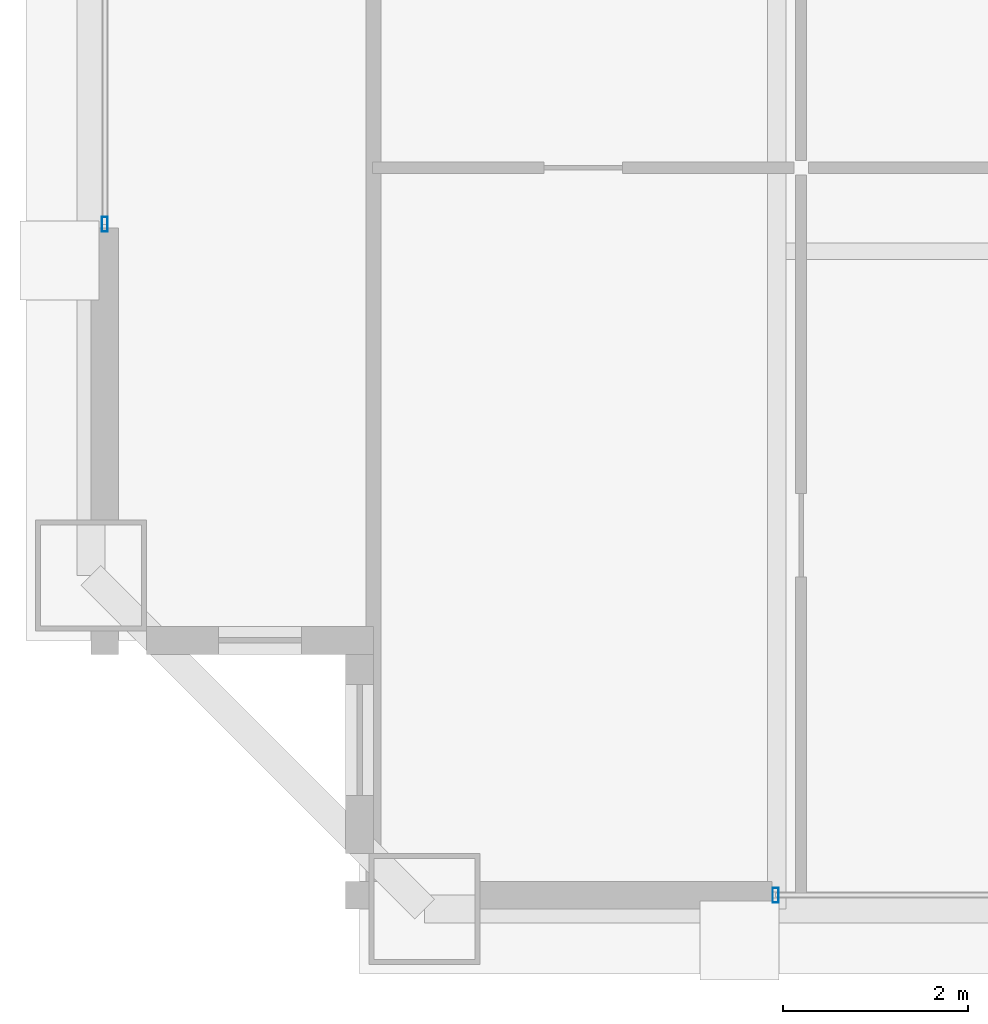
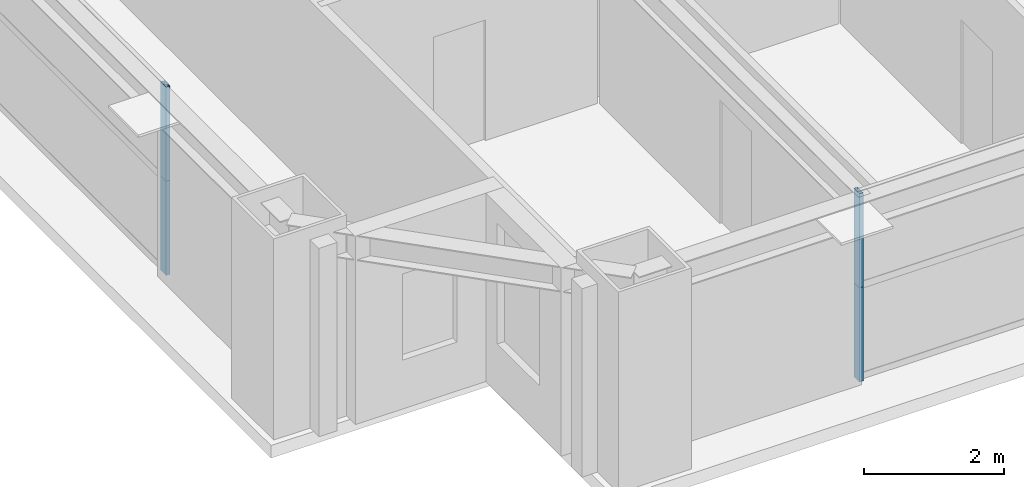
# One storey, part 3 of 36: 4 members, 2 elements without a shape of their own.
"""IFC4 building model written with IfcOpenShell, lengths in metres."""

import ifcopenshell
import ifcopenshell.guid

model = None  # the IFC model being written
_history = None  # IfcOwnerHistory: only IFC2X3 demands one
_inside = {}  # id of a spatial element -> (the spatial element, [elements in it])
_under = {}  # id of a project, library or spatial element -> (it, [spatial elements below it])
_declared = {}  # id of a project -> (the project, [libraries it declares])
_typed = {}  # id of a type object -> (the type object, [elements of that type])
_made_of = {}  # id of a material, layer set ... -> (it, [elements and type objects made of it])


def new_model(schema):
    """Start an empty IFC model of exactly this schema.

    Asked for "IFC4X3", IfcOpenShell would pick the latest addendum, in which some entities
    have other attributes; the version numbers below select the first issue.
    IFC2X3 requires an IfcOwnerHistory on every rooted entity: one is made here for all.
    """
    global model, _history
    if schema == "IFC4X3":
        model = ifcopenshell.file(schema_version=(4, 3, 0, 0))
    else:
        model = ifcopenshell.file(schema=schema)
    _inside.clear()
    _under.clear()
    _declared.clear()
    _typed.clear()
    _made_of.clear()
    _history = None
    if model.schema == "IFC2X3":
        org = make("IfcOrganization", Name="unknown")
        user = make(
            "IfcPersonAndOrganization",
            ThePerson=make("IfcPerson", FamilyName="unknown"),
            TheOrganization=org,
        )
        app = make(
            "IfcApplication",
            ApplicationDeveloper=org,
            Version="unknown",
            ApplicationFullName="unknown",
            ApplicationIdentifier="unknown",
        )
        _history = make(
            "IfcOwnerHistory",
            OwningUser=user,
            OwningApplication=app,
            ChangeAction="ADDED",
            CreationDate=0,
        )
    return model


def make(cls, **values):
    """One entity of the class cls with the attributes given. An attribute that is None is left unset."""
    return model.create_entity(
        cls, **{name: value for name, value in values.items() if value is not None}
    )


def rooted(cls, **values):
    """An entity with a GlobalId (a new one), such as an element, a storey or a relation."""
    return make(cls, GlobalId=ifcopenshell.guid.new(), OwnerHistory=_history, **values)


def si_unit(unit_type, name, prefix=None):
    """IfcSIUnit, for example si_unit("LENGTHUNIT", "METRE", prefix="MILLI")."""
    return make("IfcSIUnit", UnitType=unit_type, Prefix=prefix, Name=name)


def assignment(units):
    """IfcUnitAssignment: the units of a project."""
    return None if units is None else make("IfcUnitAssignment", Units=units)


def point(xyz):
    """IfcCartesianPoint."""
    return None if xyz is None else make("IfcCartesianPoint", Coordinates=xyz)


def direction(xyz):
    """IfcDirection."""
    return None if xyz is None else make("IfcDirection", DirectionRatios=xyz)


def frame(location, z_axis=None, x_axis=None):
    """IfcAxis2Placement3D, a coordinate frame: its origin and axes. An axis left out is left unset."""
    return make(
        "IfcAxis2Placement3D",
        Location=point(location),
        Axis=direction(z_axis),
        RefDirection=direction(x_axis),
    )


def frame_2d(location, x_axis=None):
    """IfcAxis2Placement2D, a coordinate frame in the plane: its origin and x axis."""
    return make(
        "IfcAxis2Placement2D", Location=point(location), RefDirection=direction(x_axis)
    )


def origin():
    """The frame at (0, 0, 0) with its axes left unset."""
    return frame((0.0, 0.0, 0.0))


def origin_2d():
    """The frame at (0, 0) in the plane with its x axis left unset."""
    return frame_2d((0.0, 0.0))


def place(relative_to, where):
    """IfcLocalPlacement: puts the frame where relative to a parent placement (None: the world)."""
    return make(
        "IfcLocalPlacement", PlacementRelTo=relative_to, RelativePlacement=where
    )


def context(
    kind, dimensions, precision=None, world=None, true_north=None, identifier=None
):
    """IfcGeometricRepresentationContext, for example the 3D "Model" context."""
    return make(
        "IfcGeometricRepresentationContext",
        ContextIdentifier=identifier,
        ContextType=kind,
        CoordinateSpaceDimension=dimensions,
        Precision=precision,
        WorldCoordinateSystem=world,
        TrueNorth=true_north,
    )


def subcontext(parent, identifier, kind, view, scale=None):
    """IfcGeometricRepresentationSubContext, for example "Body" below "Model"."""
    return make(
        "IfcGeometricRepresentationSubContext",
        ContextIdentifier=identifier,
        ContextType=kind,
        ParentContext=parent,
        TargetScale=scale,
        TargetView=view,
    )


def project(units=None, contexts=None):
    """IfcProject with its units and contexts."""
    return rooted(
        "IfcProject",
        Name="project",
        RepresentationContexts=contexts,
        UnitsInContext=assignment(units),
    )


def spatial(cls, under=None, at=None, **own):
    """A site, building, storey or space (cls), placed at a placement, below another one or the project."""
    s = rooted(cls, ObjectPlacement=at, **own)
    if under is not None:
        _under.setdefault(under.id(), (under, []))[1].append(s)
    return s


def profile(cls, at=None, kind="AREA", **sizes):
    """A parametric profile (cls). Its sizes go by their IFC names, for example OverallWidth=200.0."""
    return make(cls, ProfileType=kind, Position=at, **sizes)


def hollow_rectangle(**sizes):
    """IfcRectangleHollowProfileDef."""
    return profile("IfcRectangleHollowProfileDef", **sizes)


def extrude(swept, where, along, depth):
    """IfcExtrudedAreaSolid: the profile swept, set in the frame where, extruded along a direction by depth."""
    return make(
        "IfcExtrudedAreaSolid",
        SweptArea=swept,
        Position=where,
        ExtrudedDirection=direction(along),
        Depth=depth,
    )


def shape(context_of_items, identifier, shape_type, items):
    """IfcShapeRepresentation: the items that make up one representation, for example the "Body"."""
    return make(
        "IfcShapeRepresentation",
        ContextOfItems=context_of_items,
        RepresentationIdentifier=identifier,
        RepresentationType=shape_type,
        Items=items,
    )


def source(mapping_origin, context_of_items, identifier, shape_type, items):
    """IfcRepresentationMap: a shape defined once, which mapped items show again and again."""
    return make(
        "IfcRepresentationMap",
        MappingOrigin=mapping_origin,
        MappedRepresentation=shape(context_of_items, identifier, shape_type, items),
    )


def transform(
    local_origin,
    x_axis=None,
    y_axis=None,
    z_axis=None,
    scale=None,
    scale2=None,
    scale3=None,
    uniform=True,
):
    """IfcCartesianTransformationOperator3D, or its non-uniform kind. x_axis, y_axis, z_axis: its Axis1, 2, 3."""
    if uniform:
        return make(
            "IfcCartesianTransformationOperator3D",
            Axis1=direction(x_axis),
            Axis2=direction(y_axis),
            LocalOrigin=point(local_origin),
            Scale=scale,
            Axis3=direction(z_axis),
        )
    return make(
        "IfcCartesianTransformationOperator3DnonUniform",
        Axis1=direction(x_axis),
        Axis2=direction(y_axis),
        LocalOrigin=point(local_origin),
        Scale=scale,
        Axis3=direction(z_axis),
        Scale2=scale2,
        Scale3=scale3,
    )


def mapped(mapping_source, mapping_target):
    """IfcMappedItem: shows the shape of a source again, moved by a transform."""
    return make(
        "IfcMappedItem", MappingSource=mapping_source, MappingTarget=mapping_target
    )


def material(Name=None, Category=None):
    """IfcMaterial."""
    return make("IfcMaterial", Name=Name, Category=Category)


def layer(
    of_material, thickness, ventilated=None, Name=None, Category=None, Priority=None
):
    """IfcMaterialLayer: one layer of a wall or slab, of a material (None: an air gap)."""
    return make(
        "IfcMaterialLayer",
        Material=of_material,
        LayerThickness=thickness,
        IsVentilated=ventilated,
        Name=Name,
        Category=Category,
        Priority=Priority,
    )


def layer_set(layers, Name=None):
    """IfcMaterialLayerSet."""
    return make("IfcMaterialLayerSet", MaterialLayers=layers, LayerSetName=Name)


def material_profile(
    of_material, cross_section, Name=None, Category=None, Priority=None
):
    """IfcMaterialProfile: a cross section and its material."""
    return make(
        "IfcMaterialProfile",
        Name=Name,
        Material=of_material,
        Profile=cross_section,
        Priority=Priority,
        Category=Category,
    )


def profile_set(profiles, Name=None, composite=None):
    """IfcMaterialProfileSet."""
    return make(
        "IfcMaterialProfileSet",
        Name=Name,
        MaterialProfiles=profiles,
        CompositeProfile=composite,
    )


def made_of(thing, what):
    """Note that an element or type object is made of a material, layer set ...; save() writes the relation."""
    if what is not None:
        _made_of.setdefault(what.id(), (what, []))[1].append(thing)
    return thing


def type_object(cls, material=None, **own):
    """A type object (cls), such as IfcWallType, which elements share."""
    return made_of(rooted(cls, **own), material)


def element(
    cls,
    number,
    at=None,
    inside=None,
    cuts=None,
    type_object=None,
    material=None,
    context=None,
    identifier="Body",
    shape_type=None,
    held_by="IfcProductDefinitionShape",
    body=None,
    shapes=None,
    **own,
):
    """One element of the class cls, such as IfcWall. Its Tag is "e" and its number.

    at: its placement. inside: the storey or other place that contains it. cuts: it is an
    opening in that element (IfcRelVoidsElement). A single representation is given by context,
    identifier, shape_type and body (its items); several are given by shapes. held_by: the class
    of the entity that holds the representations. save() writes the other relations.
    """
    e = rooted(cls, Tag="e%d" % number, ObjectPlacement=at, **own)
    if body is not None:
        shapes = [shape(context, identifier, shape_type, body)]
    if shapes is not None:
        e.Representation = make(held_by, Representations=shapes)
    if inside is not None:
        _inside.setdefault(inside.id(), (inside, []))[1].append(e)
    if cuts is not None:
        rooted(
            "IfcRelVoidsElement", RelatingBuildingElement=cuts, RelatedOpeningElement=e
        )
    if type_object is not None:
        _typed.setdefault(type_object.id(), (type_object, []))[1].append(e)
    return made_of(e, material)


def aggregate(whole, parts):
    """IfcRelAggregates: a whole, such as a stair, and the parts it consists of."""
    return rooted("IfcRelAggregates", RelatingObject=whole, RelatedObjects=parts)


def save(model, path):
    """Write the relations noted so far, then the file.

    IfcRelAggregates (storeys below a building ...), IfcRelContainedInSpatialStructure (elements
    in a storey), IfcRelDefinesByType, IfcRelAssociatesMaterial and IfcRelDeclares: one each for
    every whole, place, type object, material and project.
    """
    for whole, parts in _under.values():
        aggregate(whole, parts)
    for where, things in _inside.values():
        rooted(
            "IfcRelContainedInSpatialStructure",
            RelatedElements=things,
            RelatingStructure=where,
        )
    for kind, things in _typed.values():
        rooted("IfcRelDefinesByType", RelatedObjects=things, RelatingType=kind)
    for what, things in _made_of.values():
        rooted("IfcRelAssociatesMaterial", RelatedObjects=things, RelatingMaterial=what)
    for by, libraries in _declared.values():
        rooted("IfcRelDeclares", RelatingContext=by, RelatedDefinitions=libraries)
    model.write(path)


model = new_model("IFC4")

# Units and contexts
model_context = context("Model", 3, precision=1e-05, world=origin(), true_north=direction((0.0, 1.0)))
body_context = subcontext(model_context, "Body", "Model", "MODEL_VIEW")
ifc_project = project(units=[si_unit("LENGTHUNIT", "METRE"), si_unit("AREAUNIT", "SQUARE_METRE"), si_unit("VOLUMEUNIT", "CUBIC_METRE"), si_unit("PLANEANGLEUNIT", "RADIAN"), si_unit("MASSUNIT", "GRAM", prefix="KILO"), si_unit("THERMODYNAMICTEMPERATUREUNIT", "KELVIN"), si_unit("POWERUNIT", "WATT")], contexts=[model_context])

# Site, building, storey
site_placement = place(None, origin())
site = spatial("IfcSite", under=ifc_project, at=site_placement, CompositionType="ELEMENT")
building_placement = place(site_placement, origin())
building = spatial("IfcBuilding", under=site, at=building_placement, Name="Yuzanri Waterfront Tower", CompositionType="ELEMENT")
storey_placement = place(building_placement, frame((0.0, 0.0, 231.10009765625)))
storey = spatial("IfcBuildingStorey", under=building, at=storey_placement, Name="L61", CompositionType="ELEMENT", Elevation=231.10009765625)

# Curtain wall, members
ifc_material_1 = material(Name="Anodized Architectural Bronze", Category="metal")
ifc_layer = layer(ifc_material_1, 0.159912109375)
ifc_layer_set = layer_set([ifc_layer], Name="Anodized Architectural Bronze")
curtain_wall_type = type_object("IfcCurtainWallType", Name="Anodized Bronze Mid-Rise Residential Acoustic Unitized Curtain Wall 7200", PredefinedType="NOTDEFINED", material=ifc_layer_set)
curtain_wall_1_placement = place(storey_placement, origin())
curtain_wall_1 = element("IfcCurtainWall", 1, at=curtain_wall_1_placement, inside=storey, type_object=curtain_wall_type, Name="L61 Curtain Wall CW-L61-SL", PredefinedType="NOTDEFINED")
ifc_material_2 = material(Name="Anodized Architectural Bronze", Category="metal")
ifc_material_profile = material_profile(ifc_material_2, hollow_rectangle(XDim=0.06494140625, YDim=0.159912109375, WallThickness=0.00341796875, at=origin_2d()), Name="CWM 65x160")
ifc_profile_set = profile_set([ifc_material_profile], Name="Anodized Architectural Bronze")
member_type = type_object("IfcMemberType", Name="Anodized Bronze Upper-Zone Curtain-Wall Mullion 65x160", PredefinedType="MULLION", material=ifc_profile_set)
shared_shape = source(origin(), body_context, "Body", "SweptSolid", [
    extrude(hollow_rectangle(XDim=0.06494140625, YDim=0.159912109375, WallThickness=0.00341796875, at=origin_2d()), origin(), (0.0, 0.0, 1.0), 1.637939453125),
])
member_1_placement = place(storey_placement, frame((23.7900390625, 5.35009765625, 0.0), z_axis=(0.0, 0.0, 1.0), x_axis=(1.0, 0.0, 0.0)))
member_1 = element("IfcMember", 2, at=member_1_placement, type_object=member_type, Name="CW-L61-SL Lower Mullion 00", PredefinedType="MULLION", context=body_context, shape_type="MappedRepresentation", body=[
    mapped(shared_shape, transform((0.0, 0.0, 0.0), scale=1.0)),
])
member_2_placement = place(storey_placement, frame((23.7900390625, 5.35009765625, 1.641845703125), z_axis=(0.0, 0.0, 1.0), x_axis=(1.0, 0.0, 0.0)))
member_2 = element("IfcMember", 3, at=member_2_placement, type_object=member_type, Name="CW-L61-SL Upper Mullion 00", PredefinedType="MULLION", context=body_context, shape_type="MappedRepresentation", body=[
    mapped(shared_shape, transform((0.0, 0.0, 0.0), scale=1.0)),
])
aggregate(curtain_wall_1, [member_1, member_2])

curtain_wall_2_placement = place(storey_placement, origin())
curtain_wall_2 = element("IfcCurtainWall", 4, at=curtain_wall_2_placement, inside=storey, type_object=curtain_wall_type, Name="L61 Curtain Wall CW-L61-WL", PredefinedType="NOTDEFINED")
member_3_placement = place(storey_placement, frame((16.550048828125, 12.590087890625, 0.0), z_axis=(0.0, 0.0, 1.0), x_axis=(1.0, 0.0, 0.0)))
member_3 = element("IfcMember", 5, at=member_3_placement, type_object=member_type, Name="CW-L61-WL Lower Mullion 00", PredefinedType="MULLION", context=body_context, shape_type="MappedRepresentation", body=[
    mapped(shared_shape, transform((0.0, 0.0, 0.0), scale=1.0)),
])
member_4_placement = place(storey_placement, frame((16.550048828125, 12.590087890625, 1.641845703125), z_axis=(0.0, 0.0, 1.0), x_axis=(1.0, 0.0, 0.0)))
member_4 = element("IfcMember", 6, at=member_4_placement, type_object=member_type, Name="CW-L61-WL Upper Mullion 00", PredefinedType="MULLION", context=body_context, shape_type="MappedRepresentation", body=[
    mapped(shared_shape, transform((0.0, 0.0, 0.0), scale=1.0)),
])
aggregate(curtain_wall_2, [member_3, member_4])

save(model, "model.ifc")
